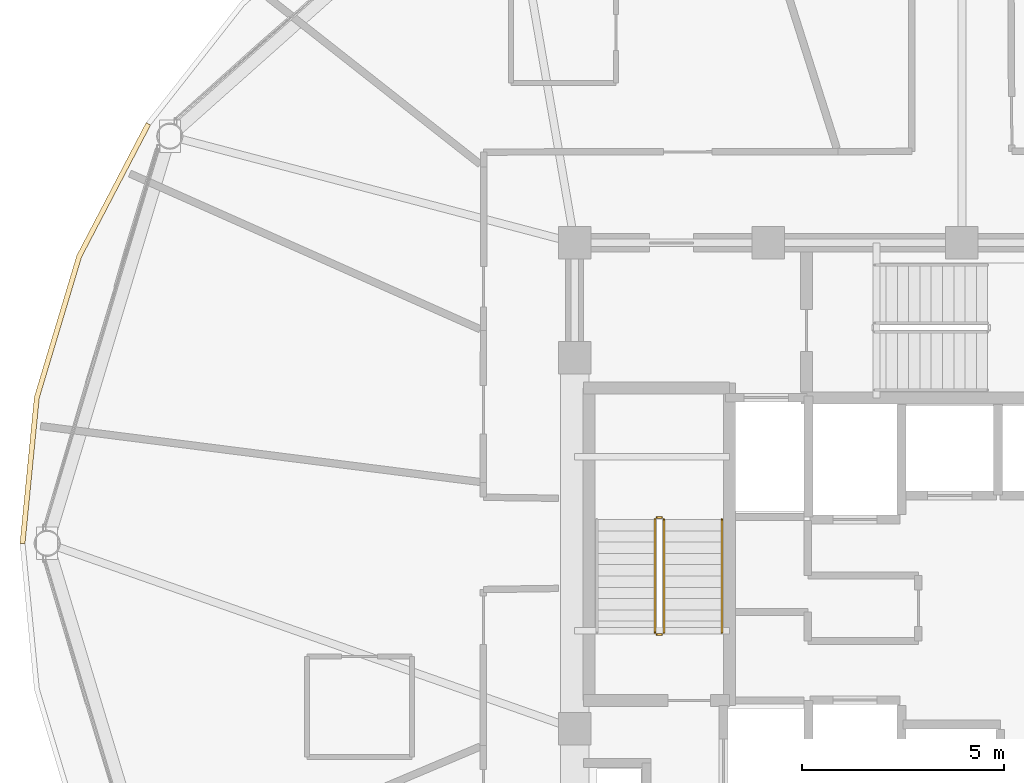
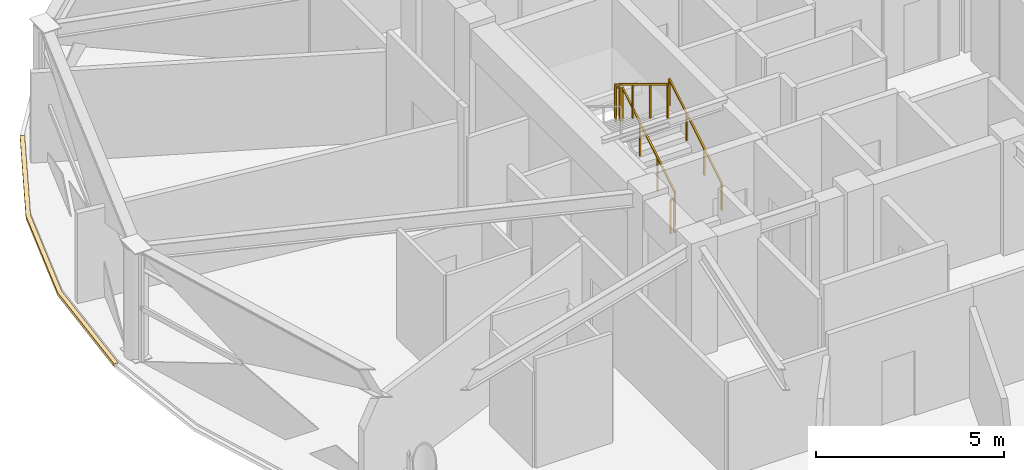
# One storey, part 28 of 30: 5 railings, 1 covering.
"""IFC4 building model written with IfcOpenShell, lengths in metres."""

from ifc_helpers import new_model, si_unit, direction, frame, origin, origin_2d, place, context, subcontext, project, spatial, polyline, rectangle, outline, extrude, material, layer, layer_set, type_object, element, save


model = new_model("IFC4")

# Units and contexts
model_context = context("Model", 3, precision=1e-05, world=origin(), true_north=direction((0.0, 1.0)))
body_context = subcontext(model_context, "Body", "Model", "MODEL_VIEW")
ifc_project = project(units=[si_unit("LENGTHUNIT", "METRE"), si_unit("AREAUNIT", "SQUARE_METRE"), si_unit("VOLUMEUNIT", "CUBIC_METRE"), si_unit("PLANEANGLEUNIT", "RADIAN"), si_unit("MASSUNIT", "GRAM", prefix="KILO")], contexts=[model_context])

# Site, building, storey
site_placement = place(None, origin())
site = spatial("IfcSite", under=ifc_project, at=site_placement, CompositionType="ELEMENT")
building_placement = place(site_placement, origin())
building = spatial("IfcBuilding", under=site, at=building_placement, Name="Vantalir Tower", CompositionType="ELEMENT")
storey_placement = place(building_placement, frame((0.0, 0.0, 186.14990234375)))
storey = spatial("IfcBuildingStorey", under=building, at=storey_placement, Name="L46", CompositionType="ELEMENT", Elevation=186.14990234375)

# Covering
ifc_material_1 = material(Name="Anodised champagne aluminium sill fascia", Category="aluminium")
ifc_layer = layer(ifc_material_1, 0.125)
ifc_layer_set = layer_set([ifc_layer], Name="Anodised champagne aluminium sill fascia")
covering_type = type_object("IfcCoveringType", Name="COV-SLAB-FASCIA-125", PredefinedType="CLADDING", material=ifc_layer_set)
covering_placement = place(storey_placement, frame((0.0, 0.0, -0.179931640625)))
element("IfcCovering", 1, at=covering_placement, inside=storey, type_object=covering_type, Name="L46 Perimeter Slab-Edge Sill Fascia 06", PredefinedType="CLADDING", context=body_context, shape_type="SweptSolid", body=[
    extrude(outline(polyline([(11.277099609375, 35.430908203125), (9.556884765625, 32.135986328125), (8.50390625, 28.623046875), (8.14892578125, 25.0), (8.27392578125, 25.0), (8.626953125, 28.60107421875), (9.675048828125, 32.093017578125), (11.385986328125, 35.368896484375), (11.277099609375, 35.430908203125)])), origin(), (0.0, 0.0, 1.0), 0.10498046875),
])

# Railings
ifc_material_2 = material(Name="Anodised aluminium and stainless steel guard", Category="steel")
railing_type_1 = type_object("IfcRailingType", Name="RAL-GUARD-1120", PredefinedType="GUARDRAIL", material=ifc_material_2)
railing_1_placement = place(storey_placement, frame((24.110107421875, 22.7900390625, 0.170654296875)))
element("IfcRailing", 2, at=railing_1_placement, inside=storey, type_object=railing_type_1, Name="L46 ST1 stair guard 1", PredefinedType="GUARDRAIL", context=body_context, shape_type="SweptSolid", body=[
    extrude(rectangle(XDim=0.048095703125, YDim=0.048095703125, at=origin_2d()), frame((0.0, 0.0, 1.09619140625), z_axis=(0.0, 0.854202870247, 0.519939858505), x_axis=(-1.0, 0.0, 0.0)), (0.0, 0.0, 1.0), 3.278076171875),
    extrude(rectangle(XDim=0.0419921875, YDim=0.0419921875, at=origin_2d()), origin(), (0.0, 0.0, 1.0), 1.072021484375),
    extrude(rectangle(XDim=0.0419921875, YDim=0.0419921875, at=origin_2d()), frame((0.0, 0.933349609375, 0.568115234375)), (0.0, 0.0, 1.0), 1.072021484375),
    extrude(rectangle(XDim=0.0419921875, YDim=0.0419921875, at=origin_2d()), frame((0.0, 1.86669921875, 1.13623046875)), (0.0, 0.0, 1.0), 1.072021484375),
    extrude(rectangle(XDim=0.0419921875, YDim=0.0419921875, at=origin_2d()), frame((0.0, 2.800048828125, 1.704345703125)), (0.0, 0.0, 1.0), 1.072021484375),
])
railing_2_placement = place(storey_placement, frame((24.06005859375, 25.639892578125, 1.875)))
element("IfcRailing", 3, at=railing_2_placement, inside=storey, type_object=railing_type_1, Name="L46 ST1 stair guard 2", PredefinedType="GUARDRAIL", context=body_context, shape_type="SweptSolid", body=[
    extrude(rectangle(XDim=0.048095703125, YDim=0.048095703125, at=origin_2d()), frame((0.0, 0.0, 1.09619140625), z_axis=(-1.0, 0.0, 0.0), x_axis=(0.0, -1.0, 0.0)), (0.0, 0.0, 1.0), 0.1201171875),
    extrude(rectangle(XDim=0.0419921875, YDim=0.0419921875, at=origin_2d()), origin(), (0.0, 0.0, 1.0), 1.072021484375),
    extrude(rectangle(XDim=0.0419921875, YDim=0.0419921875, at=origin_2d()), frame((-0.1201171875, 0.0, 0.0)), (0.0, 0.0, 1.0), 1.072021484375),
])
railing_3_placement = place(storey_placement, frame((23.889892578125, 25.590087890625, 2.045654296875)))
element("IfcRailing", 4, at=railing_3_placement, inside=storey, type_object=railing_type_1, Name="L46 ST1 stair guard 3", PredefinedType="GUARDRAIL", context=body_context, shape_type="SweptSolid", body=[
    extrude(rectangle(XDim=0.048095703125, YDim=0.048095703125, at=origin_2d()), frame((0.0, 0.0, 1.09619140625), z_axis=(0.0, -0.854202870247, 0.519939858505), x_axis=(1.0, 0.0, 0.0)), (0.0, 0.0, 1.0), 3.278076171875),
    extrude(rectangle(XDim=0.0419921875, YDim=0.0419921875, at=origin_2d()), origin(), (0.0, 0.0, 1.0), 1.072021484375),
    extrude(rectangle(XDim=0.0419921875, YDim=0.0419921875, at=origin_2d()), frame((0.0, -0.933349609375, 0.568115234375)), (0.0, 0.0, 1.0), 1.072021484375),
    extrude(rectangle(XDim=0.0419921875, YDim=0.0419921875, at=origin_2d()), frame((0.0, -1.86669921875, 1.13623046875)), (0.0, 0.0, 1.0), 1.072021484375),
    extrude(rectangle(XDim=0.0419921875, YDim=0.0419921875, at=origin_2d()), frame((0.0, -2.800048828125, 1.704345703125)), (0.0, 0.0, 1.0), 1.072021484375),
])
railing_4_placement = place(storey_placement, frame((24.06005859375, 22.739990234375, 0.0)))
element("IfcRailing", 5, at=railing_4_placement, inside=storey, type_object=railing_type_1, Name="L46 ST1 stair guard 4", PredefinedType="GUARDRAIL", context=body_context, shape_type="SweptSolid", body=[
    extrude(rectangle(XDim=0.048095703125, YDim=0.048095703125, at=origin_2d()), frame((0.0, 0.0, 1.09619140625), z_axis=(-1.0, 0.0, 0.0), x_axis=(0.0, -1.0, 0.0)), (0.0, 0.0, 1.0), 0.1201171875),
    extrude(rectangle(XDim=0.0419921875, YDim=0.0419921875, at=origin_2d()), origin(), (0.0, 0.0, 1.0), 1.072021484375),
    extrude(rectangle(XDim=0.0419921875, YDim=0.0419921875, at=origin_2d()), frame((-0.1201171875, 0.0, 0.0)), (0.0, 0.0, 1.0), 1.072021484375),
])
ifc_material_3 = material(Name="Brushed stainless steel tubular handrail", Category="steel")
railing_type_2 = type_object("IfcRailingType", Name="RAL-HANDRAIL-900", PredefinedType="HANDRAIL", material=ifc_material_3)
railing_5_placement = place(storey_placement, frame((25.550048828125, 22.7900390625, 0.170654296875)))
element("IfcRailing", 6, at=railing_5_placement, inside=storey, type_object=railing_type_2, Name="L46 ST1 stair handrail 1", PredefinedType="HANDRAIL", context=body_context, shape_type="SweptSolid", body=[
    extrude(rectangle(XDim=0.048095703125, YDim=0.048095703125, at=origin_2d()), frame((0.0, 0.0, 0.8759765625), z_axis=(0.0, 0.854202870247, 0.519939858505), x_axis=(-1.0, 0.0, 0.0)), (0.0, 0.0, 1.0), 3.278076171875),
    extrude(rectangle(XDim=0.0419921875, YDim=0.0419921875, at=origin_2d()), origin(), (0.0, 0.0, 1.0), 0.851806640625),
    extrude(rectangle(XDim=0.0419921875, YDim=0.0419921875, at=origin_2d()), frame((0.0, 0.933349609375, 0.568115234375)), (0.0, 0.0, 1.0), 0.851806640625),
    extrude(rectangle(XDim=0.0419921875, YDim=0.0419921875, at=origin_2d()), frame((0.0, 1.86669921875, 1.13623046875)), (0.0, 0.0, 1.0), 0.851806640625),
    extrude(rectangle(XDim=0.0419921875, YDim=0.0419921875, at=origin_2d()), frame((0.0, 2.800048828125, 1.704345703125)), (0.0, 0.0, 1.0), 0.851806640625),
])

save(model, "model.ifc")
